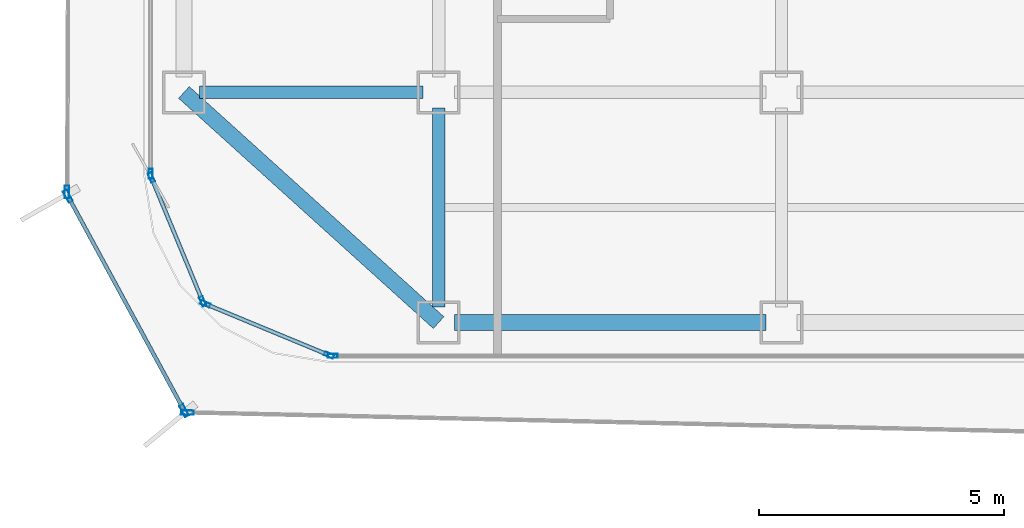
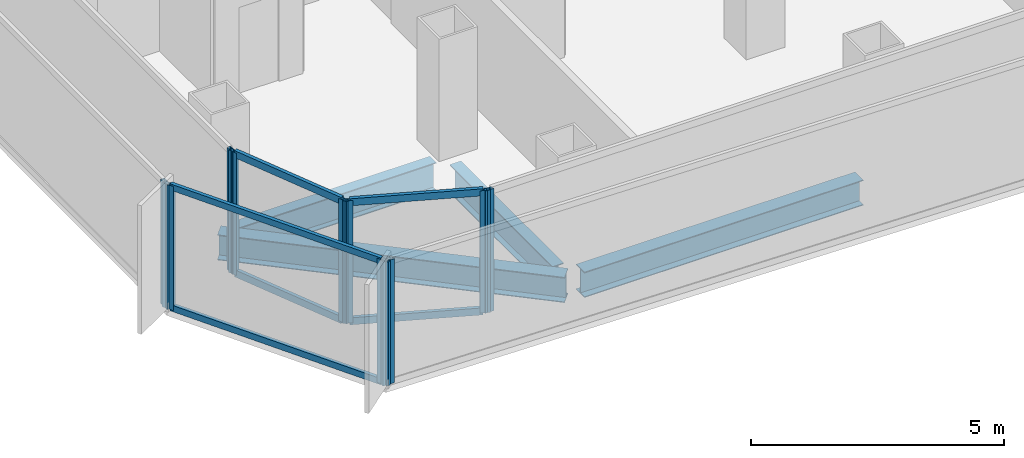
# One storey, part 2 of 21: 16 members, 4 beams, 7 elements without a shape of their own.
"""IFC4 building model written with IfcOpenShell, lengths in metres."""

from ifc_helpers import new_model, si_unit, direction, frame, origin, origin_2d, place, context, subcontext, project, spatial, hollow_rectangle, i_section, extrude, source, transform, mapped, material, layer, layer_set, material_profile, profile_set, type_object, element, aggregate, save


model = new_model("IFC4")

# Units and contexts
model_context = context("Model", 3, precision=1e-05, world=origin(), true_north=direction((0.0, 1.0)))
body_context = subcontext(model_context, "Body", "Model", "MODEL_VIEW")
ifc_project = project(units=[si_unit("LENGTHUNIT", "METRE"), si_unit("AREAUNIT", "SQUARE_METRE"), si_unit("VOLUMEUNIT", "CUBIC_METRE"), si_unit("PLANEANGLEUNIT", "RADIAN"), si_unit("MASSUNIT", "GRAM", prefix="KILO")], contexts=[model_context])

# Site, building, storey
site_placement = place(None, origin())
site = spatial("IfcSite", under=ifc_project, at=site_placement, CompositionType="ELEMENT")
building_placement = place(site_placement, origin())
building = spatial("IfcBuilding", under=site, at=building_placement, Name="Kolveth Station Tower", CompositionType="ELEMENT")
storey_placement = place(building_placement, frame((0.0, 0.0, 118.300048828125)))
storey = spatial("IfcBuildingStorey", under=building, at=storey_placement, Name="L32", CompositionType="ELEMENT", Elevation=118.300048828125)

# Beams
ifc_material_1 = material(Name="Steel S355", Category="steel")
ifc_material_profile_1 = material_profile(ifc_material_1, i_section(OverallWidth=0.323974609375, OverallDepth=0.611083984375, WebThickness=0.0126953125, FlangeThickness=0.01904296875, at=origin_2d()), Name="W610x155")
ifc_profile_set_1 = profile_set([ifc_material_profile_1], Name="Steel S355")
beam_type_1 = type_object("IfcBeamType", Name="Beam_SP2", PredefinedType="SPANDREL", material=ifc_profile_set_1)
shared_shape_1 = source(origin(), body_context, "Body", "SweptSolid", [
    extrude(i_section(OverallWidth=0.323974609375, OverallDepth=0.611083984375, WebThickness=0.0126953125, FlangeThickness=0.01904296875, at=origin_2d()), origin(), (0.0, 0.0, 1.0), 6.35986328125),
])
beam_1_placement = place(storey_placement, frame((6.320068359375, 0.800048828125, -0.5556640625), z_axis=(1.0, 0.0, 0.0), x_axis=(0.0, 1.0, 0.0)))
element("IfcBeam", 1, at=beam_1_placement, inside=storey, type_object=beam_type_1, Name="L32 Perimeter Spandrel BM-L32-PS-1", PredefinedType="SPANDREL", context=body_context, shape_type="MappedRepresentation", body=[
    mapped(shared_shape_1, transform((0.0, 0.0, 0.0), x_axis=(1.0, 0.0, 0.0), y_axis=(0.0, 1.0, 0.0), z_axis=(0.0, 0.0, 1.0), scale=1.0)),
])
shared_shape_2 = source(origin(), body_context, "Body", "SweptSolid", [
    extrude(i_section(OverallWidth=0.323974609375, OverallDepth=0.611083984375, WebThickness=0.0126953125, FlangeThickness=0.01904296875, at=origin_2d()), origin(), (0.0, 0.0, 1.0), 7.00927734375),
])
beam_2_placement = place(storey_placement, frame((0.800048828125, 5.5, -0.5556640625), z_axis=(0.741874009795, -0.670539300557, 0.0), x_axis=(0.670539300557, 0.741874009795, 0.0)))
element("IfcBeam", 2, at=beam_2_placement, inside=storey, type_object=beam_type_1, Name="L32 Corner Edge Girder BM-L32-CNR-SW", PredefinedType="SPANDREL", context=body_context, shape_type="MappedRepresentation", body=[
    mapped(shared_shape_2, transform((0.0, 0.0, 0.0), x_axis=(1.0, 0.0, 0.0), y_axis=(0.0, 1.0, 0.0), z_axis=(0.0, 0.0, 1.0), scale=1.0)),
])
ifc_material_profile_2 = material_profile(ifc_material_1, i_section(OverallWidth=0.25390625, OverallDepth=0.68798828125, WebThickness=0.01318359375, FlangeThickness=0.02099609375, at=origin_2d()), Name="W690x152")
ifc_profile_set_2 = profile_set([ifc_material_profile_2], Name="Steel S355")
beam_type_2 = type_object("IfcBeamType", Name="Beam_B4", PredefinedType="BEAM", material=ifc_profile_set_2)
shared_shape_3 = source(origin(), body_context, "Body", "SweptSolid", [
    extrude(i_section(OverallWidth=0.25390625, OverallDepth=0.68798828125, WebThickness=0.01318359375, FlangeThickness=0.02099609375, at=origin_2d()), origin(), (0.0, 0.0, 1.0), 4.559814453125),
])
beam_3_placement = place(storey_placement, frame((1.1201171875, 5.5, -0.593994140625), z_axis=(1.0, 0.0, 0.0), x_axis=(0.0, 1.0, 0.0)))
element("IfcBeam", 3, at=beam_3_placement, inside=storey, type_object=beam_type_2, Name="L32 Primary Girder BM-L32-GY55-1", PredefinedType="BEAM", context=body_context, shape_type="MappedRepresentation", body=[
    mapped(shared_shape_3, transform((0.0, 0.0, 0.0), x_axis=(1.0, 0.0, 0.0), y_axis=(0.0, 1.0, 0.0), z_axis=(0.0, 0.0, 1.0), scale=1.0)),
])
shared_shape_4 = source(origin(), body_context, "Body", "SweptSolid", [
    extrude(i_section(OverallWidth=0.25390625, OverallDepth=0.68798828125, WebThickness=0.01318359375, FlangeThickness=0.02099609375, at=origin_2d()), origin(), (0.0, 0.0, 1.0), 4.059814453125),
])
beam_4_placement = place(storey_placement, frame((6.0, 1.1201171875, -0.593994140625), z_axis=(0.0, 1.0, 0.0), x_axis=(-1.0, 0.0, 0.0)))
element("IfcBeam", 4, at=beam_4_placement, inside=storey, type_object=beam_type_2, Name="L32 Primary Girder BM-L32-GX60-1", PredefinedType="BEAM", context=body_context, shape_type="MappedRepresentation", body=[
    mapped(shared_shape_4, transform((0.0, 0.0, 0.0), x_axis=(1.0, 0.0, 0.0), y_axis=(0.0, 1.0, 0.0), z_axis=(0.0, 0.0, 1.0), scale=1.0)),
])

# Curtain wall, member
ifc_material_2 = material(Name="Aluminium 6063-T6 and low-E dark glass", Category="aluminium")
ifc_layer_1 = layer(ifc_material_2, 0.18994140625)
ifc_layer_set_1 = layer_set([ifc_layer_1], Name="Aluminium 6063-T6 and low-E dark glass")
curtain_wall_type_1 = type_object("IfcCurtainWallType", Name="CurtainWall_CW-Z2", PredefinedType="NOTDEFINED", material=ifc_layer_set_1)
curtain_wall_1_placement = place(storey_placement, origin())
curtain_wall_1 = element("IfcCurtainWall", 5, at=curtain_wall_1_placement, inside=storey, type_object=curtain_wall_type_1, Name="L32 Inner Thermal Curtain Wall 9", PredefinedType="NOTDEFINED")
ifc_material_3 = material(Name="Black anodized aluminium 6063-T6", Category="aluminium")
ifc_material_profile_3 = material_profile(ifc_material_3, hollow_rectangle(XDim=0.080078125, YDim=0.199951171875, WallThickness=0.0048828125, at=origin_2d()), Name="ALU-80x200x5")
ifc_profile_set_3 = profile_set([ifc_material_profile_3], Name="Black anodized aluminium 6063-T6")
member_type_1 = type_object("IfcMemberType", Name="Mullion_ML2", PredefinedType="MULLION", material=ifc_profile_set_3)
shared_shape_5 = source(origin(), body_context, "Body", "SweptSolid", [
    extrude(hollow_rectangle(XDim=0.080078125, YDim=0.199951171875, WallThickness=0.0048828125, at=origin_2d()), origin(), (0.0, 0.0, 1.0), 2.949951171875),
])
member_1_placement = place(storey_placement, frame((0.1201171875, 3.840087890625, 0.0), z_axis=(0.0, 0.0, 1.0), x_axis=(1.0, 0.0, 0.0)))
member_1 = element("IfcMember", 6, at=member_1_placement, type_object=member_type_1, Name="CW-Z2 mullion 2", PredefinedType="MULLION", context=body_context, shape_type="MappedRepresentation", body=[
    mapped(shared_shape_5, transform((0.0, 0.0, 0.0), x_axis=(1.0, 0.0, 0.0), y_axis=(0.0, 1.0, 0.0), z_axis=(0.0, 0.0, 1.0), scale=1.0)),
])
aggregate(curtain_wall_1, [member_1])

# Curtain wall, members
curtain_wall_2_placement = place(storey_placement, origin())
curtain_wall_2 = element("IfcCurtainWall", 7, at=curtain_wall_2_placement, inside=storey, type_object=curtain_wall_type_1, Name="L32 Inner Thermal Curtain Wall 10", PredefinedType="NOTDEFINED")
member_2_placement = place(storey_placement, frame((0.13525390625, 3.762939453125, 0.0), z_axis=(0.0, 0.0, 1.0), x_axis=(0.923887883787, 0.38266326998, 0.0)))
member_2 = element("IfcMember", 8, at=member_2_placement, type_object=member_type_1, Name="CW-Z2 mullion 1", PredefinedType="MULLION", context=body_context, shape_type="MappedRepresentation", body=[
    mapped(shared_shape_5, transform((0.0, 0.0, 0.0), x_axis=(1.0, 0.0, 0.0), y_axis=(0.0, 1.0, 0.0), z_axis=(0.0, 0.0, 1.0), scale=1.0)),
])
member_3_placement = place(storey_placement, frame((1.182373046875, 1.23486328125, 0.0), z_axis=(0.0, 0.0, 1.0), x_axis=(0.923887883787, 0.38266326998, 0.0)))
member_3 = element("IfcMember", 9, at=member_3_placement, type_object=member_type_1, Name="CW-Z2 mullion 2", PredefinedType="MULLION", context=body_context, shape_type="MappedRepresentation", body=[
    mapped(shared_shape_5, transform((0.0, 0.0, 0.0), x_axis=(1.0, 0.0, 0.0), y_axis=(0.0, 1.0, 0.0), z_axis=(0.0, 0.0, 1.0), scale=1.0)),
])

curtain_wall_3_placement = place(storey_placement, origin())
curtain_wall_3 = element("IfcCurtainWall", 10, at=curtain_wall_3_placement, inside=storey, type_object=curtain_wall_type_1, Name="L32 Inner Thermal Curtain Wall 11", PredefinedType="NOTDEFINED")
member_4_placement = place(storey_placement, frame((1.23486328125, 1.182373046875, 0.0), z_axis=(0.0, 0.0, 1.0), x_axis=(0.38266326998, 0.923887883787, 0.0)))
member_4 = element("IfcMember", 11, at=member_4_placement, type_object=member_type_1, Name="CW-Z2 mullion 1", PredefinedType="MULLION", context=body_context, shape_type="MappedRepresentation", body=[
    mapped(shared_shape_5, transform((0.0, 0.0, 0.0), x_axis=(1.0, 0.0, 0.0), y_axis=(0.0, 1.0, 0.0), z_axis=(0.0, 0.0, 1.0), scale=1.0)),
])
member_5_placement = place(storey_placement, frame((3.762939453125, 0.13525390625, 0.0), z_axis=(0.0, 0.0, 1.0), x_axis=(0.38266326998, 0.923887883787, 0.0)))
member_5 = element("IfcMember", 12, at=member_5_placement, type_object=member_type_1, Name="CW-Z2 mullion 2", PredefinedType="MULLION", context=body_context, shape_type="MappedRepresentation", body=[
    mapped(shared_shape_5, transform((0.0, 0.0, 0.0), x_axis=(1.0, 0.0, 0.0), y_axis=(0.0, 1.0, 0.0), z_axis=(0.0, 0.0, 1.0), scale=1.0)),
])

# Curtain wall, member
curtain_wall_4_placement = place(storey_placement, origin())
curtain_wall_4 = element("IfcCurtainWall", 13, at=curtain_wall_4_placement, inside=storey, type_object=curtain_wall_type_1, Name="L32 Inner Thermal Curtain Wall 12", PredefinedType="NOTDEFINED")
member_6_placement = place(storey_placement, frame((3.840087890625, 0.1201171875, 0.0), z_axis=(0.0, 0.0, 1.0), x_axis=(0.0, 1.0, 0.0)))
member_6 = element("IfcMember", 14, at=member_6_placement, type_object=member_type_1, Name="CW-Z2 mullion 1", PredefinedType="MULLION", context=body_context, shape_type="MappedRepresentation", body=[
    mapped(shared_shape_5, transform((0.0, 0.0, 0.0), x_axis=(1.0, 0.0, 0.0), y_axis=(0.0, 1.0, 0.0), z_axis=(0.0, 0.0, 1.0), scale=1.0)),
])
aggregate(curtain_wall_4, [member_6])

# Member
ifc_material_profile_4 = material_profile(ifc_material_3, hollow_rectangle(XDim=0.080078125, YDim=0.169921875, WallThickness=0.0048828125, at=origin_2d()), Name="ALU-80x170x5")
ifc_profile_set_4 = profile_set([ifc_material_profile_4], Name="Black anodized aluminium 6063-T6")
member_type_2 = type_object("IfcMemberType", Name="Transom_TR2", PredefinedType="USERDEFINED", material=ifc_profile_set_4)
shared_shape_6 = source(origin(), body_context, "Body", "SweptSolid", [
    extrude(hollow_rectangle(XDim=0.080078125, YDim=0.169921875, WallThickness=0.0048828125, at=origin_2d()), origin(), (0.0, 0.0, 1.0), 2.656494140625),
])
member_7_placement = place(storey_placement, frame((0.150634765625, 3.72607421875, 0.0400390625), z_axis=(0.382676455475, -0.923882422403, 0.0), x_axis=(0.923882422403, 0.382676455475, 0.0)))
member_7 = element("IfcMember", 15, at=member_7_placement, type_object=member_type_2, Name="CW-Z2 transom 1.1", ObjectType="TRANSOM", PredefinedType="USERDEFINED", context=body_context, shape_type="MappedRepresentation", body=[
    mapped(shared_shape_6, transform((0.0, 0.0, 0.0), x_axis=(1.0, 0.0, 0.0), y_axis=(0.0, 1.0, 0.0), z_axis=(0.0, 0.0, 1.0), scale=1.0)),
])

member_8_placement = place(storey_placement, frame((0.150634765625, 3.72607421875, 2.909912109375), z_axis=(0.382676455475, -0.923882422403, 0.0), x_axis=(0.923882422403, 0.382676455475, 0.0)))
member_8 = element("IfcMember", 16, at=member_8_placement, type_object=member_type_2, Name="CW-Z2 transom 1.2", ObjectType="TRANSOM", PredefinedType="USERDEFINED", context=body_context, shape_type="MappedRepresentation", body=[
    mapped(shared_shape_6, transform((0.0, 0.0, 0.0), x_axis=(1.0, 0.0, 0.0), y_axis=(0.0, 1.0, 0.0), z_axis=(0.0, 0.0, 1.0), scale=1.0)),
])

aggregate(curtain_wall_2, [member_2, member_3, member_7, member_8])

member_9_placement = place(storey_placement, frame((1.271728515625, 1.167236328125, 0.0400390625), z_axis=(0.923882422403, -0.382676455475, 0.0), x_axis=(0.382676455475, 0.923882422403, 0.0)))
member_9 = element("IfcMember", 17, at=member_9_placement, type_object=member_type_2, Name="CW-Z2 transom 1.1", ObjectType="TRANSOM", PredefinedType="USERDEFINED", context=body_context, shape_type="MappedRepresentation", body=[
    mapped(shared_shape_6, transform((0.0, 0.0, 0.0), x_axis=(1.0, 0.0, 0.0), y_axis=(0.0, 1.0, 0.0), z_axis=(0.0, 0.0, 1.0), scale=1.0)),
])

member_10_placement = place(storey_placement, frame((1.271728515625, 1.167236328125, 2.909912109375), z_axis=(0.923882422403, -0.382676455475, 0.0), x_axis=(0.382676455475, 0.923882422403, 0.0)))
member_10 = element("IfcMember", 18, at=member_10_placement, type_object=member_type_2, Name="CW-Z2 transom 1.2", ObjectType="TRANSOM", PredefinedType="USERDEFINED", context=body_context, shape_type="MappedRepresentation", body=[
    mapped(shared_shape_6, transform((0.0, 0.0, 0.0), x_axis=(1.0, 0.0, 0.0), y_axis=(0.0, 1.0, 0.0), z_axis=(0.0, 0.0, 1.0), scale=1.0)),
])

aggregate(curtain_wall_3, [member_4, member_5, member_9, member_10])

# Curtain wall, member
ifc_material_4 = material(Name="Black anodized aluminium 6063-T6 and dark solar glass", Category="aluminium")
ifc_layer_2 = layer(ifc_material_4, 0.159912109375)
ifc_layer_set_2 = layer_set([ifc_layer_2], Name="Black anodized aluminium 6063-T6 and dark solar glass")
curtain_wall_type_2 = type_object("IfcCurtainWallType", Name="OUTER SKIN CW-OS", PredefinedType="NOTDEFINED", material=ifc_layer_set_2)
curtain_wall_5_placement = place(storey_placement, origin())
curtain_wall_5 = element("IfcCurtainWall", 19, at=curtain_wall_5_placement, inside=storey, type_object=curtain_wall_type_2, Name="L32 Outer Ventilated Skin Curtain Wall 6", PredefinedType="NOTDEFINED")
ifc_material_profile_5 = material_profile(ifc_material_3, hollow_rectangle(XDim=0.090087890625, YDim=0.260009765625, WallThickness=0.0048828125, at=origin_2d()), Name="ALU-90x260x5")
ifc_profile_set_5 = profile_set([ifc_material_profile_5], Name="Black anodized aluminium 6063-T6")
member_type_3 = type_object("IfcMemberType", Name="FIN MULLION ML-OS", PredefinedType="MULLION", material=ifc_profile_set_5)
shared_shape_7 = source(origin(), body_context, "Body", "SweptSolid", [
    extrude(hollow_rectangle(XDim=0.090087890625, YDim=0.260009765625, WallThickness=0.0048828125, at=origin_2d()), origin(), (0.0, 0.0, 1.0), 2.989990234375),
])
member_11_placement = place(storey_placement, frame((-1.589599609375, 3.465087890625, 0.0), z_axis=(0.0, 0.0, 1.0), x_axis=(0.999989768706, -0.004523547673, 0.0)))
member_11 = element("IfcMember", 20, at=member_11_placement, type_object=member_type_3, Name="CW-OS mullion 2", PredefinedType="MULLION", context=body_context, shape_type="MappedRepresentation", body=[
    mapped(shared_shape_7, transform((0.0, 0.0, 0.0), x_axis=(1.0, 0.0, 0.0), y_axis=(0.0, 1.0, 0.0), z_axis=(0.0, 0.0, 1.0), scale=1.0)),
])
aggregate(curtain_wall_5, [member_11])

# Curtain wall, members
curtain_wall_6_placement = place(storey_placement, origin())
curtain_wall_6 = element("IfcCurtainWall", 21, at=curtain_wall_6_placement, inside=storey, type_object=curtain_wall_type_2, Name="L32 Outer Ventilated Skin Curtain Wall 7", PredefinedType="NOTDEFINED")
member_12_placement = place(storey_placement, frame((-1.568359375, 3.380615234375, 0.0), z_axis=(0.0, 0.0, 1.0), x_axis=(0.879098414376, 0.476640302368, 0.0)))
member_12 = element("IfcMember", 22, at=member_12_placement, type_object=member_type_3, Name="CW-OS mullion 1", PredefinedType="MULLION", context=body_context, shape_type="MappedRepresentation", body=[
    mapped(shared_shape_7, transform((0.0, 0.0, 0.0), x_axis=(1.0, 0.0, 0.0), y_axis=(0.0, 1.0, 0.0), z_axis=(0.0, 0.0, 1.0), scale=1.0)),
])
member_13_placement = place(storey_placement, frame((0.8046875, -0.99609375, 0.0), z_axis=(0.0, 0.0, 1.0), x_axis=(0.879098414376, 0.476640302368, 0.0)))
member_13 = element("IfcMember", 23, at=member_13_placement, type_object=member_type_3, Name="CW-OS mullion 2", PredefinedType="MULLION", context=body_context, shape_type="MappedRepresentation", body=[
    mapped(shared_shape_7, transform((0.0, 0.0, 0.0), x_axis=(1.0, 0.0, 0.0), y_axis=(0.0, 1.0, 0.0), z_axis=(0.0, 0.0, 1.0), scale=1.0)),
])

# Curtain wall, member
curtain_wall_7_placement = place(storey_placement, origin())
curtain_wall_7 = element("IfcCurtainWall", 24, at=curtain_wall_7_placement, inside=storey, type_object=curtain_wall_type_2, Name="L32 Outer Ventilated Skin Curtain Wall 8", PredefinedType="NOTDEFINED")
member_14_placement = place(storey_placement, frame((0.87109375, -1.03662109375, 0.0), z_axis=(0.0, 0.0, 1.0), x_axis=(0.022624840616, 0.999744025532, 0.0)))
member_14 = element("IfcMember", 25, at=member_14_placement, type_object=member_type_3, Name="CW-OS mullion 1", PredefinedType="MULLION", context=body_context, shape_type="MappedRepresentation", body=[
    mapped(shared_shape_7, transform((0.0, 0.0, 0.0), x_axis=(1.0, 0.0, 0.0), y_axis=(0.0, 1.0, 0.0), z_axis=(0.0, 0.0, 1.0), scale=1.0)),
])
aggregate(curtain_wall_7, [member_14])

# Member
ifc_material_profile_6 = material_profile(ifc_material_3, hollow_rectangle(XDim=0.080078125, YDim=0.14990234375, WallThickness=0.0048828125, at=origin_2d()), Name="ALU-80x150x5")
ifc_profile_set_6 = profile_set([ifc_material_profile_6], Name="Black anodized aluminium 6063-T6")
member_type_4 = type_object("IfcMemberType", Name="Transom_TR-OS", PredefinedType="USERDEFINED", material=ifc_profile_set_6)
shared_shape_8 = source(origin(), body_context, "Body", "SweptSolid", [
    extrude(hollow_rectangle(XDim=0.080078125, YDim=0.14990234375, WallThickness=0.0048828125, at=origin_2d()), origin(), (0.0, 0.0, 1.0), 4.888671875),
])
member_15_placement = place(storey_placement, frame((-1.546875, 3.341064453125, 0.0400390625), z_axis=(0.476632225329, -0.879102793636, 0.0), x_axis=(0.879102793636, 0.476632225329, 0.0)))
member_15 = element("IfcMember", 26, at=member_15_placement, type_object=member_type_4, Name="CW-OS transom 1.1", ObjectType="TRANSOM", PredefinedType="USERDEFINED", context=body_context, shape_type="MappedRepresentation", body=[
    mapped(shared_shape_8, transform((0.0, 0.0, 0.0), x_axis=(1.0, 0.0, 0.0), y_axis=(0.0, 1.0, 0.0), z_axis=(0.0, 0.0, 1.0), scale=1.0)),
])

member_16_placement = place(storey_placement, frame((-1.546875, 3.341064453125, 2.949951171875), z_axis=(0.476632225329, -0.879102793636, 0.0), x_axis=(0.879102793636, 0.476632225329, 0.0)))
member_16 = element("IfcMember", 27, at=member_16_placement, type_object=member_type_4, Name="CW-OS transom 1.2", ObjectType="TRANSOM", PredefinedType="USERDEFINED", context=body_context, shape_type="MappedRepresentation", body=[
    mapped(shared_shape_8, transform((0.0, 0.0, 0.0), x_axis=(1.0, 0.0, 0.0), y_axis=(0.0, 1.0, 0.0), z_axis=(0.0, 0.0, 1.0), scale=1.0)),
])

aggregate(curtain_wall_6, [member_12, member_13, member_15, member_16])

save(model, "model.ifc")
